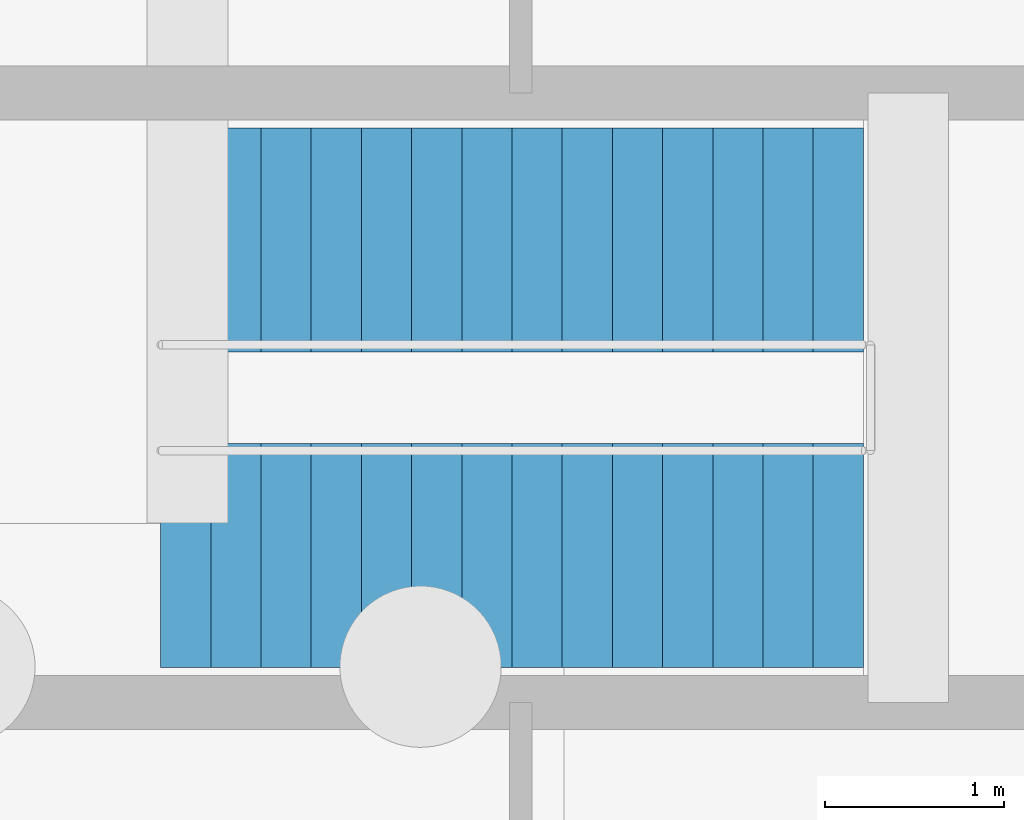
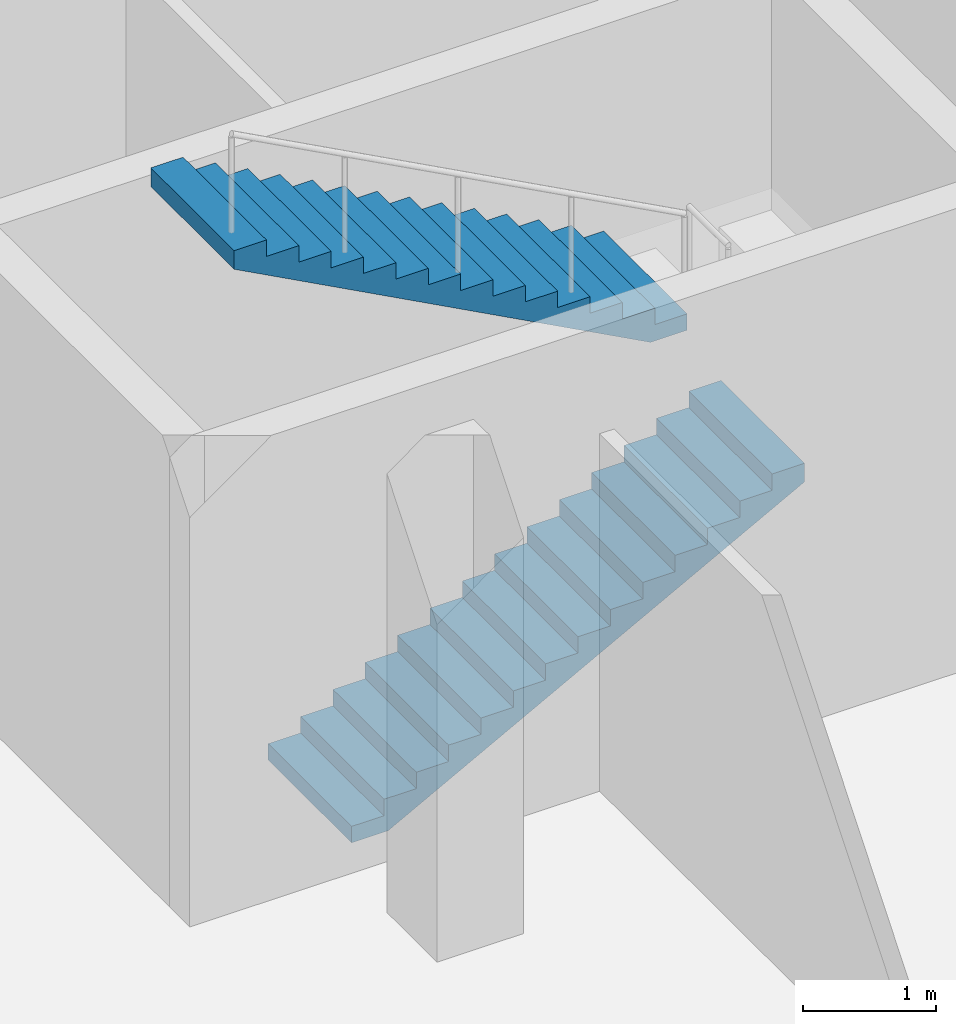
# One storey, part 34 of 41: 2 stair flights, 1 element without a shape of its own.
"""IFC4 building model written with IfcOpenShell, lengths in metres."""

from ifc_helpers import new_model, si_unit, direction, frame, origin, place, context, subcontext, project, spatial, polyline, outline, extrude, material, type_object, element, aggregate, save


model = new_model("IFC4")

# Units and contexts
model_context = context("Model", 3, precision=1e-05, world=origin(), true_north=direction((0.0, 1.0)))
body_context = subcontext(model_context, "Body", "Model", "MODEL_VIEW")
ifc_project = project(units=[si_unit("LENGTHUNIT", "METRE"), si_unit("AREAUNIT", "SQUARE_METRE"), si_unit("VOLUMEUNIT", "CUBIC_METRE"), si_unit("PLANEANGLEUNIT", "RADIAN"), si_unit("MASSUNIT", "GRAM", prefix="KILO")], contexts=[model_context])

# Site, building, storey
site_placement = place(None, origin())
site = spatial("IfcSite", under=ifc_project, at=site_placement, CompositionType="ELEMENT")
building_placement = place(site_placement, origin())
building = spatial("IfcBuilding", under=site, at=building_placement, Name="Vardoun Plaza Health Centre", CompositionType="ELEMENT")
storey_placement = place(building_placement, frame((0.0, 0.0, -4.5)))
storey = spatial("IfcBuildingStorey", under=building, at=storey_placement, Name="B1", CompositionType="ELEMENT", Elevation=-4.5)

# Stair, stair flights
ifc_material_1 = material(Name="Concrete C35/45", Category="concrete")
stair_type = type_object("IfcStairType", Name="ST-01", PredefinedType="HALF_TURN_STAIR", material=ifc_material_1)
stair_placement = place(storey_placement, origin())
stair = element("IfcStair", 1, at=stair_placement, inside=storey, type_object=stair_type, Name="Core C11 B1 Exit Stair ST-C11-B1", PredefinedType="HALF_TURN_STAIR")
ifc_material_2 = material(Name="Concrete C35/45", Category="concrete")
stair_flight_type = type_object("IfcStairFlightType", Name="SF-01", PredefinedType="STRAIGHT", material=ifc_material_2)
stair_flight_1_placement = place(storey_placement, frame((157.949951171875, 80.219970703125, 0.0), z_axis=(0.0, 0.0, 1.0), x_axis=(1.0, 0.0, 0.0)))
stair_flight_1 = element("IfcStairFlight", 2, at=stair_flight_1_placement, type_object=stair_flight_type, Name="ST-C11-B1 flight 1", NumberOfRisers=15, NumberOfTreads=14, PredefinedType="STRAIGHT", RiserHeight=0.15, TreadLength=0.28, context=body_context, shape_type="SweptSolid", body=[
    extrude(outline(polyline([(0.0, 0.0), (0.0, 0.14990234375), (0.280029296875, 0.14990234375), (0.280029296875, 0.300048828125), (0.56005859375, 0.300048828125), (0.56005859375, 0.449951171875), (0.840087890625, 0.449951171875), (0.840087890625, 0.60009765625), (1.1201171875, 0.60009765625), (1.1201171875, 0.75), (1.39990234375, 0.75), (1.39990234375, 0.89990234375), (1.679931640625, 0.89990234375), (1.679931640625, 1.050048828125), (1.9599609375, 1.050048828125), (1.9599609375, 1.199951171875), (2.239990234375, 1.199951171875), (2.239990234375, 1.35009765625), (2.52001953125, 1.35009765625), (2.52001953125, 1.5), (2.800048828125, 1.5), (2.800048828125, 1.64990234375), (3.080078125, 1.64990234375), (3.080078125, 1.800048828125), (3.360107421875, 1.800048828125), (3.360107421875, 1.949951171875), (3.639892578125, 1.949951171875), (3.639892578125, 2.10009765625), (3.919921875, 2.10009765625), (3.919921875, 2.25), (3.919921875, 1.929931640625), (0.3173828125, 0.0), (0.0, 0.0)])), frame((0.0, 0.625, 0.0), z_axis=(0.0, -1.0, 0.0), x_axis=(1.0, 0.0, 0.0)), (0.0, 0.0, 1.0), 1.25),
])
stair_flight_2_placement = place(storey_placement, frame((161.8701171875, 81.97998046875, 2.25), z_axis=(0.0, 0.0, 1.0), x_axis=(-1.0, 0.0, 0.0)))
stair_flight_2 = element("IfcStairFlight", 3, at=stair_flight_2_placement, type_object=stair_flight_type, Name="ST-C11-B1 flight 2", NumberOfRisers=15, NumberOfTreads=14, PredefinedType="STRAIGHT", RiserHeight=0.15, TreadLength=0.28, context=body_context, shape_type="SweptSolid", body=[
    extrude(outline(polyline([(0.0, 0.0), (0.0, 0.14990234375), (0.280029296875, 0.14990234375), (0.280029296875, 0.300048828125), (0.56005859375, 0.300048828125), (0.56005859375, 0.449951171875), (0.840087890625, 0.449951171875), (0.840087890625, 0.60009765625), (1.1201171875, 0.60009765625), (1.1201171875, 0.75), (1.39990234375, 0.75), (1.39990234375, 0.89990234375), (1.679931640625, 0.89990234375), (1.679931640625, 1.050048828125), (1.9599609375, 1.050048828125), (1.9599609375, 1.199951171875), (2.239990234375, 1.199951171875), (2.239990234375, 1.35009765625), (2.52001953125, 1.35009765625), (2.52001953125, 1.5), (2.800048828125, 1.5), (2.800048828125, 1.64990234375), (3.080078125, 1.64990234375), (3.080078125, 1.800048828125), (3.360107421875, 1.800048828125), (3.360107421875, 1.949951171875), (3.639892578125, 1.949951171875), (3.639892578125, 2.10009765625), (3.919921875, 2.10009765625), (3.919921875, 2.25), (3.919921875, 1.929931640625), (0.3173828125, 0.0), (0.0, 0.0)])), frame((0.0, 0.625, 0.0), z_axis=(0.0, -1.0, 0.0), x_axis=(1.0, 0.0, 0.0)), (0.0, 0.0, 1.0), 1.25),
])
aggregate(stair, [stair_flight_1, stair_flight_2])

save(model, "model.ifc")
